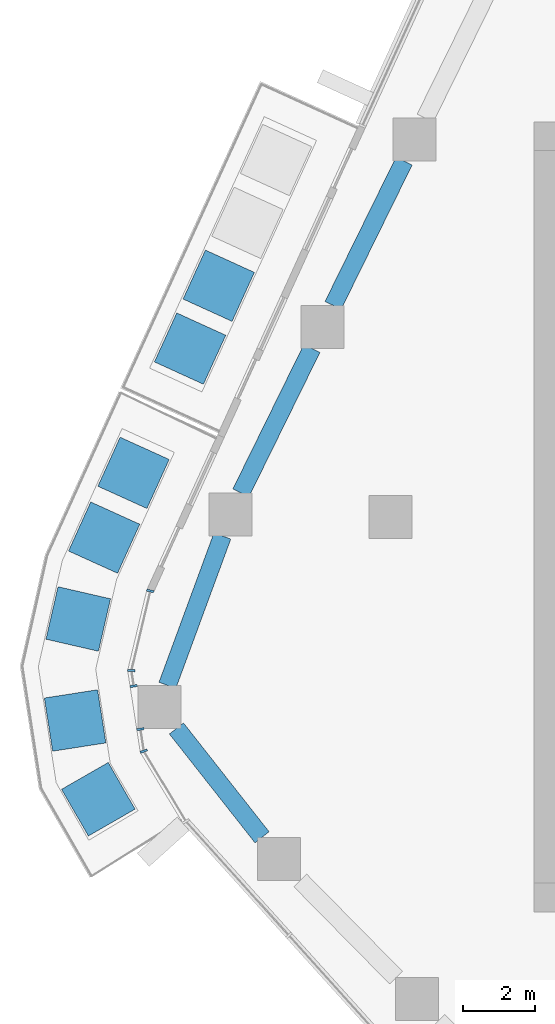
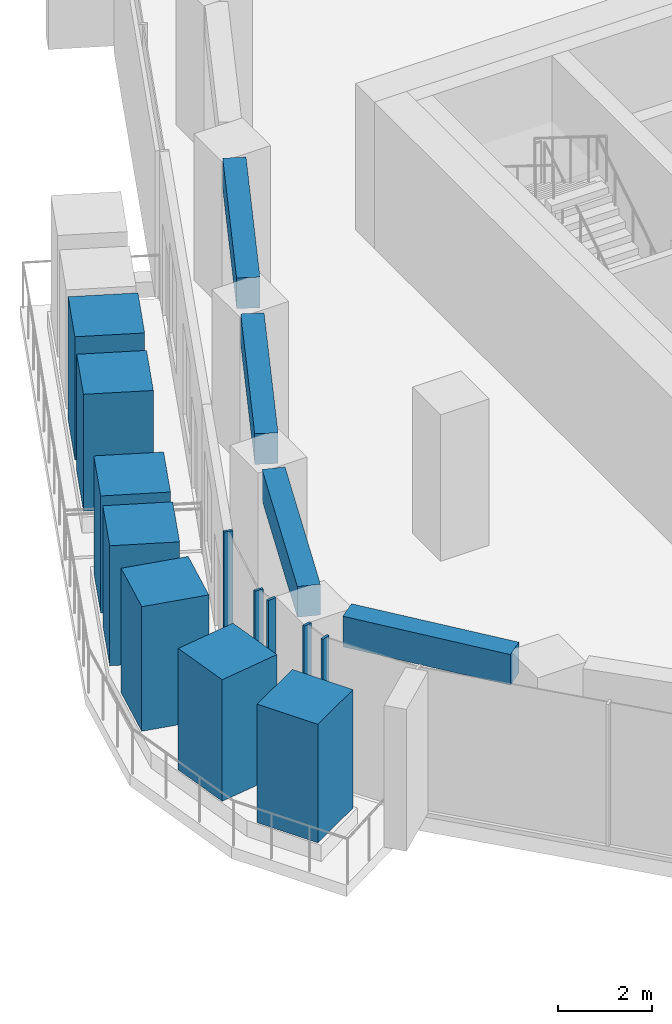
# One storey, part 3 of 18: 12 members, 4 beams, 2 elements without a shape of their own.
"""IFC4 building model written with IfcOpenShell, lengths in metres."""

from ifc_helpers import new_model, si_unit, direction, frame, origin, origin_2d, place, context, subcontext, project, spatial, rectangle, extrude, material, layer, layer_set, material_profile, profile_set, type_object, element, aggregate, save


model = new_model("IFC4")

# Units and contexts
model_context = context("Model", 3, precision=1e-05, world=origin(), true_north=direction((0.0, 1.0)))
body_context = subcontext(model_context, "Body", "Model", "MODEL_VIEW")
ifc_project = project(units=[si_unit("LENGTHUNIT", "METRE"), si_unit("AREAUNIT", "SQUARE_METRE"), si_unit("VOLUMEUNIT", "CUBIC_METRE"), si_unit("PLANEANGLEUNIT", "RADIAN"), si_unit("MASSUNIT", "GRAM", prefix="KILO")], contexts=[model_context])

# Site, building, storey
site_placement = place(None, origin())
site = spatial("IfcSite", under=ifc_project, at=site_placement, CompositionType="ELEMENT")
building_placement = place(site_placement, origin())
building = spatial("IfcBuilding", under=site, at=building_placement, Name="Dongbaek Canopy Tower", CompositionType="ELEMENT")
storey_placement = place(building_placement, frame((0.0, 0.0, 203.0)))
storey = spatial("IfcBuildingStorey", under=building, at=storey_placement, Name="L42", CompositionType="ELEMENT", Elevation=203.0)

# Curtain wall, members
ifc_material_1 = material(Name="Aluminium 6063-T6 pale anodised", Category="aluminium")
ifc_layer = layer(ifc_material_1, 0.199951171875)
ifc_layer_set = layer_set([ifc_layer], Name="CW-1 unitised tower curtain wall")
curtain_wall_type = type_object("IfcCurtainWallType", Name="CW-1 unitised tower curtain wall", PredefinedType="NOTDEFINED", material=ifc_layer_set)
curtain_wall_1_placement = place(storey_placement, origin())
curtain_wall_1 = element("IfcCurtainWall", 1, at=curtain_wall_1_placement, inside=storey, type_object=curtain_wall_type, Name="CW-1 curtain wall K3.1a", PredefinedType="NOTDEFINED")
ifc_material_2 = material(Name="Aluminium 6063-T6 pale anodised", Category="aluminium")
ifc_material_profile_1 = material_profile(ifc_material_2, rectangle(XDim=0.199951171875, YDim=0.06005859375, at=origin_2d()), Name="CW-1 mullion 60 x 200")
ifc_profile_set_1 = profile_set([ifc_material_profile_1], Name="Aluminium 6063-T6 pale anodised")
member_type_1 = type_object("IfcMemberType", Name="CW-1 mullion 60 x 200", PredefinedType="MULLION", material=ifc_profile_set_1)
member_1_placement = place(storey_placement, frame((-24.69091796875, -2.063720703125, 0.0), z_axis=(0.0, 0.0, 1.0), x_axis=(-0.972743995942, 0.231881690436, 0.0)))
member_1 = element("IfcMember", 2, at=member_1_placement, type_object=member_type_1, Name="CW-1 mullion K3.1a.1", PredefinedType="MULLION", context=body_context, shape_type="SweptSolid", body=[
    extrude(rectangle(XDim=0.199951171875, YDim=0.06005859375, at=origin_2d()), origin(), (0.0, 0.0, 1.0), 3.820068359375),
])
member_2_placement = place(storey_placement, frame((-25.219482421875, -4.28173828125, 0.0), z_axis=(0.0, 0.0, 1.0), x_axis=(-0.999186076209, 0.040338382589, 0.0)))
member_2 = element("IfcMember", 3, at=member_2_placement, type_object=member_type_1, Name="CW-1 mullion K3.1a.2", PredefinedType="MULLION", context=body_context, shape_type="SweptSolid", body=[
    extrude(rectangle(XDim=0.199951171875, YDim=0.06005859375, at=origin_2d()), origin(), (0.0, 0.0, 1.0), 3.820068359375),
])
member_3_placement = place(storey_placement, frame((-25.153076171875, -4.712158203125, 0.0), z_axis=(0.0, 0.0, 1.0), x_axis=(-0.988270565088, -0.15271309761, 0.0)))
member_3 = element("IfcMember", 4, at=member_3_placement, type_object=member_type_1, Name="CW-1 mullion K3.1a.3", PredefinedType="MULLION", context=body_context, shape_type="SweptSolid", body=[
    extrude(rectangle(XDim=0.199951171875, YDim=0.06005859375, at=origin_2d()), origin(), (0.0, 0.0, 1.0), 3.820068359375),
])
aggregate(curtain_wall_1, [member_1, member_2, member_3])

curtain_wall_2_placement = place(storey_placement, origin())
curtain_wall_2 = element("IfcCurtainWall", 5, at=curtain_wall_2_placement, inside=storey, type_object=curtain_wall_type, Name="CW-1 curtain wall K3.1b", PredefinedType="NOTDEFINED")
member_4_placement = place(storey_placement, frame((-24.96728515625, -5.913818359375, 0.0), z_axis=(0.0, 0.0, 1.0), x_axis=(-0.988270565088, -0.15271309761, 0.0)))
member_4 = element("IfcMember", 6, at=member_4_placement, type_object=member_type_1, Name="CW-1 mullion K3.1b.1", PredefinedType="MULLION", context=body_context, shape_type="SweptSolid", body=[
    extrude(rectangle(XDim=0.199951171875, YDim=0.06005859375, at=origin_2d()), origin(), (0.0, 0.0, 1.0), 3.820068359375),
])
member_5_placement = place(storey_placement, frame((-24.872802734375, -6.525146484375, 0.0), z_axis=(0.0, 0.0, 1.0), x_axis=(-0.940405571945, -0.340054937112, 0.0)))
member_5 = element("IfcMember", 7, at=member_5_placement, type_object=member_type_1, Name="CW-1 mullion K3.1b.2", PredefinedType="MULLION", context=body_context, shape_type="SweptSolid", body=[
    extrude(rectangle(XDim=0.199951171875, YDim=0.06005859375, at=origin_2d()), origin(), (0.0, 0.0, 1.0), 3.820068359375),
])
aggregate(curtain_wall_2, [member_4, member_5])

# Beams
ifc_material_3 = material(Name="Concrete C70", Category="concrete")
ifc_material_profile_2 = material_profile(ifc_material_3, rectangle(XDim=0.5, YDim=0.800048828125, at=origin_2d()), Name="RC EDGE BEAM 500x800 C70")
ifc_profile_set_2 = profile_set([ifc_material_profile_2], Name="Concrete C70")
beam_type = type_object("IfcBeamType", Name="RC EDGE BEAM 500x800 C70", PredefinedType="BEAM", material=ifc_profile_set_2)
beam_1_placement = place(storey_placement, frame((-21.578125, -8.925048828125, 3.419921875), z_axis=(-0.618344214718, 0.785907394115, 0.0), x_axis=(-0.785907394115, -0.618344214718, 0.0)))
element("IfcBeam", 8, at=beam_1_placement, inside=storey, type_object=beam_type, Name="EDGEBEAM:L42:07", PredefinedType="BEAM", context=body_context, shape_type="SweptSolid", body=[
    extrude(rectangle(XDim=0.5, YDim=0.800048828125, at=origin_2d()), origin(), (0.0, 0.0, 1.0), 3.856689453125),
])
beam_2_placement = place(storey_placement, frame((-24.214111328125, -4.694091796875, 3.419921875), z_axis=(0.34534810305, 0.938474660137, 0.0), x_axis=(-0.938474660137, 0.34534810305, 0.0)))
element("IfcBeam", 9, at=beam_2_placement, inside=storey, type_object=beam_type, Name="EDGEBEAM:L42:08", PredefinedType="BEAM", context=body_context, shape_type="SweptSolid", body=[
    extrude(rectangle(XDim=0.5, YDim=0.800048828125, at=origin_2d()), origin(), (0.0, 0.0, 1.0), 4.433837890625),
])
beam_3_placement = place(storey_placement, frame((-22.1669921875, 0.6669921875, 3.419921875), z_axis=(0.441142658474, 0.897436992147, 0.0), x_axis=(-0.897436992147, 0.441142658474, 0.0)))
element("IfcBeam", 10, at=beam_3_placement, inside=storey, type_object=beam_type, Name="EDGEBEAM:L42:09", PredefinedType="BEAM", context=body_context, shape_type="SweptSolid", body=[
    extrude(rectangle(XDim=0.5, YDim=0.800048828125, at=origin_2d()), origin(), (0.0, 0.0, 1.0), 4.4794921875),
])
beam_4_placement = place(storey_placement, frame((-19.6005859375, 5.886962890625, 3.419921875), z_axis=(0.441534821152, 0.897244114893, 0.0), x_axis=(-0.897244114893, 0.441534821152, 0.0)))
element("IfcBeam", 11, at=beam_4_placement, inside=storey, type_object=beam_type, Name="EDGEBEAM:L42:10", PredefinedType="BEAM", context=body_context, shape_type="SweptSolid", body=[
    extrude(rectangle(XDim=0.5, YDim=0.800048828125, at=origin_2d()), origin(), (0.0, 0.0, 1.0), 4.478271484375),
])

# Members
ifc_material_4 = material(Name="Concrete C40/50 planter mass with planting", Category="concrete")
ifc_material_profile_3 = material_profile(ifc_material_4, rectangle(XDim=1.5, YDim=1.5, at=origin_2d()), Name="Terrace PLANTER shrub mass 1500 x 1500")
ifc_profile_set_3 = profile_set([ifc_material_profile_3], Name="Concrete C40/50 planter mass with planting")
member_type_2 = type_object("IfcMemberType", Name="Terrace PLANTER shrub mass 1500 x 1500", PredefinedType="USERDEFINED", material=ifc_profile_set_3)
member_6_placement = place(storey_placement, frame((-22.784423828125, 6.4345703125, 0.419921875), z_axis=(0.0, 0.0, 1.0), x_axis=(-0.909932941374, 0.414755400449, 0.0)))
element("IfcMember", 12, at=member_6_placement, inside=storey, type_object=member_type_2, Name="Planter shrubs L42 1.3", ObjectType="PLANTER", PredefinedType="USERDEFINED", context=body_context, shape_type="SweptSolid", body=[
    extrude(rectangle(XDim=1.5, YDim=1.5, at=origin_2d()), origin(), (0.0, 0.0, 1.0), 3.2099609375),
])
for number, where, z_axis, x_axis, name in (
    (13, (-23.582275390625, 4.68408203125, 0.419921875), (0.0, 0.0, 1.0), (-0.909932941374, 0.414755400449, 0.0), "Planter shrubs L42 1.4"),
    (14, (-25.157470703125, 1.2236328125, 0.419921875), (0.0, 0.0, 1.0), (-0.910760101813, 0.412935875101, 0.0), "Planter shrubs L42 2.1"),
):
    element("IfcMember", number, at=place(storey_placement, frame(where, z_axis=z_axis, x_axis=x_axis)), inside=storey, type_object=member_type_2, Name=name, ObjectType="PLANTER", PredefinedType="USERDEFINED", context=body_context, shape_type="SweptSolid", body=[
        extrude(rectangle(XDim=1.5, YDim=1.5, at=origin_2d()), origin(), (0.0, 0.0, 1.0), 3.050048828125),
    ])
member_7_placement = place(storey_placement, frame((-25.975341796875, -0.580078125, 0.419921875), z_axis=(0.0, 0.0, 1.0), x_axis=(-0.910760101813, 0.412935875101, 0.0)))
element("IfcMember", 15, at=member_7_placement, inside=storey, type_object=member_type_2, Name="Planter shrubs L42 2.2", ObjectType="PLANTER", PredefinedType="USERDEFINED", context=body_context, shape_type="SweptSolid", body=[
    extrude(rectangle(XDim=1.5, YDim=1.5, at=origin_2d()), origin(), (0.0, 0.0, 1.0), 3.130126953125),
])
member_8_placement = place(storey_placement, frame((-26.697021484375, -2.845703125, 0.419921875), z_axis=(0.0, 0.0, 1.0), x_axis=(-0.97467118145, 0.223642768834, 0.0)))
element("IfcMember", 16, at=member_8_placement, inside=storey, type_object=member_type_2, Name="Planter shrubs L42 2.3", ObjectType="PLANTER", PredefinedType="USERDEFINED", context=body_context, shape_type="SweptSolid", body=[
    extrude(rectangle(XDim=1.5, YDim=1.5, at=origin_2d()), origin(), (0.0, 0.0, 1.0), 3.25),
])
member_9_placement = place(storey_placement, frame((-26.783935546875, -5.671875, 0.419921875), z_axis=(0.0, 0.0, 1.0), x_axis=(-0.988270565088, -0.15271309761, 0.0)))
element("IfcMember", 17, at=member_9_placement, inside=storey, type_object=member_type_2, Name="Planter shrubs L42 2.4", ObjectType="PLANTER", PredefinedType="USERDEFINED", context=body_context, shape_type="SweptSolid", body=[
    extrude(rectangle(XDim=1.5, YDim=1.5, at=origin_2d()), origin(), (0.0, 0.0, 1.0), 3.170166015625),
])
member_10_placement = place(storey_placement, frame((-26.137939453125, -7.864990234375, 0.419921875), z_axis=(0.0, 0.0, 1.0), x_axis=(-0.866880038744, -0.498516798541, 0.0)))
element("IfcMember", 18, at=member_10_placement, inside=storey, type_object=member_type_2, Name="Planter shrubs L42 2.5", ObjectType="PLANTER", PredefinedType="USERDEFINED", context=body_context, shape_type="SweptSolid", body=[
    extrude(rectangle(XDim=1.5, YDim=1.5, at=origin_2d()), origin(), (0.0, 0.0, 1.0), 3.090087890625),
])

save(model, "model.ifc")
